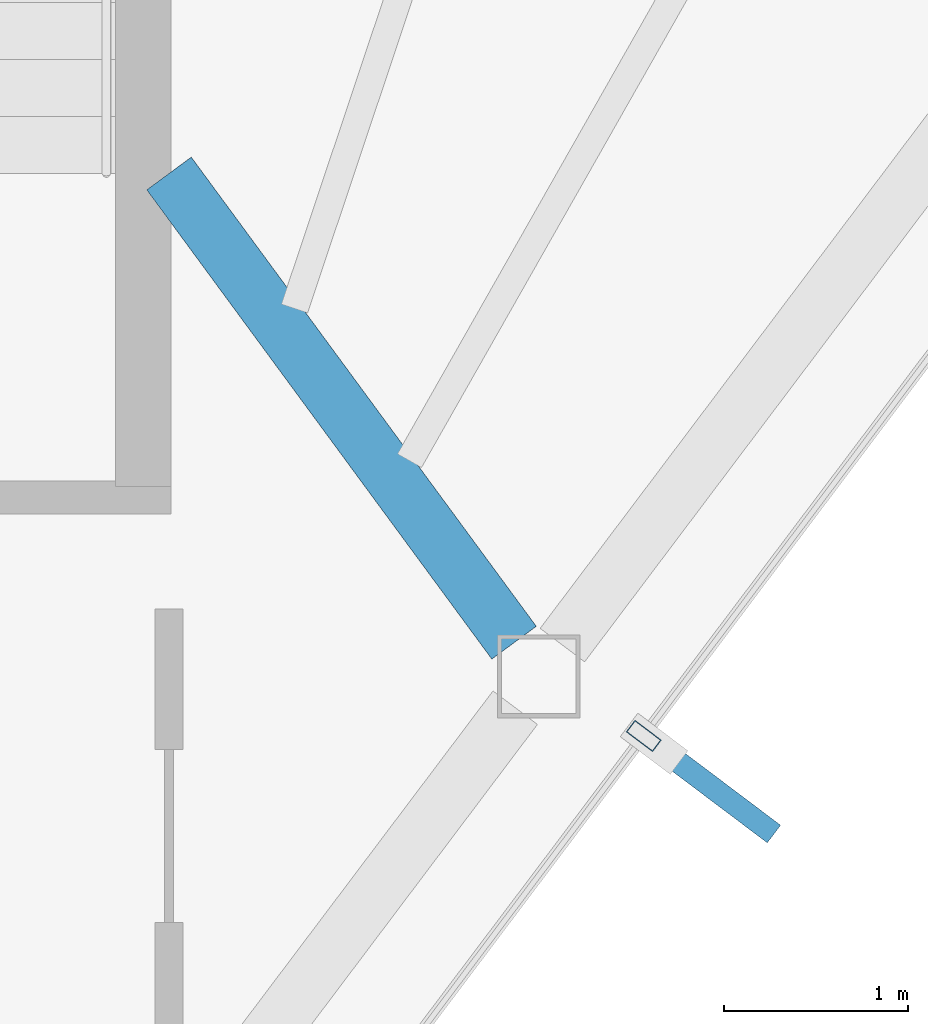
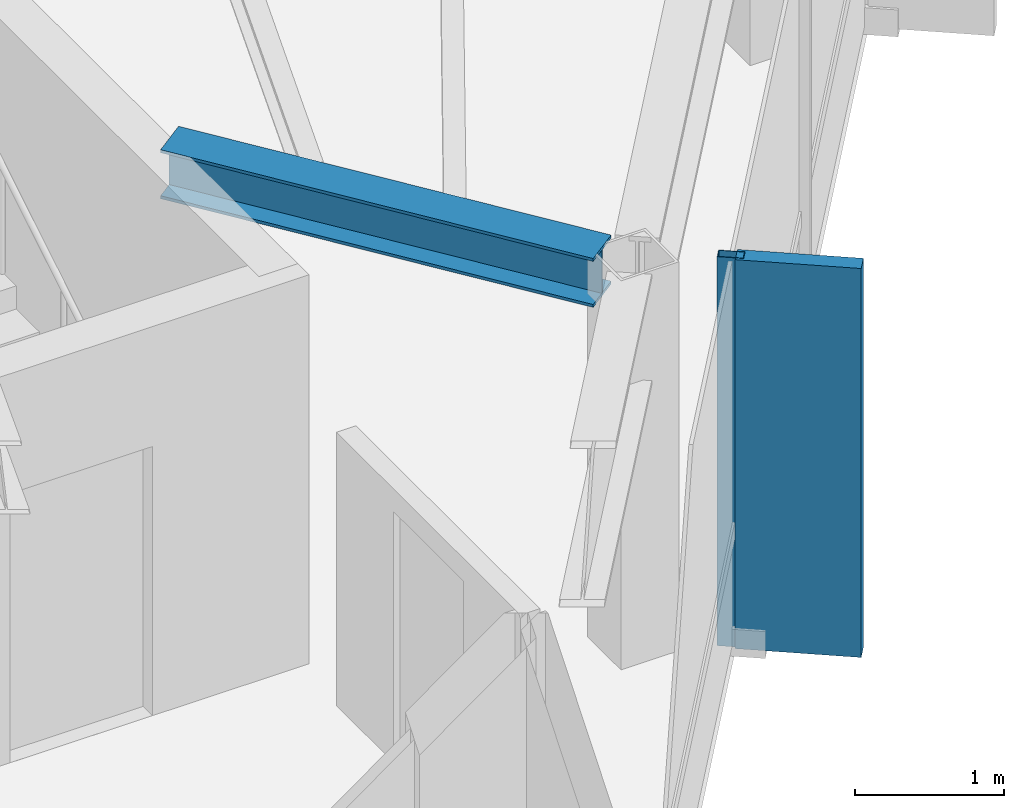
# One storey, part 15 of 22: 2 members, 1 beam, 1 element without a shape of its own.
"""IFC4 building model written with IfcOpenShell, lengths in metres."""

import ifcopenshell
import ifcopenshell.guid

model = None  # the IFC model being written
_history = None  # IfcOwnerHistory: only IFC2X3 demands one
_inside = {}  # id of a spatial element -> (the spatial element, [elements in it])
_under = {}  # id of a project, library or spatial element -> (it, [spatial elements below it])
_declared = {}  # id of a project -> (the project, [libraries it declares])
_typed = {}  # id of a type object -> (the type object, [elements of that type])
_made_of = {}  # id of a material, layer set ... -> (it, [elements and type objects made of it])


def new_model(schema):
    """Start an empty IFC model of exactly this schema.

    Asked for "IFC4X3", IfcOpenShell would pick the latest addendum, in which some entities
    have other attributes; the version numbers below select the first issue.
    IFC2X3 requires an IfcOwnerHistory on every rooted entity: one is made here for all.
    """
    global model, _history
    if schema == "IFC4X3":
        model = ifcopenshell.file(schema_version=(4, 3, 0, 0))
    else:
        model = ifcopenshell.file(schema=schema)
    _inside.clear()
    _under.clear()
    _declared.clear()
    _typed.clear()
    _made_of.clear()
    _history = None
    if model.schema == "IFC2X3":
        org = make("IfcOrganization", Name="unknown")
        user = make(
            "IfcPersonAndOrganization",
            ThePerson=make("IfcPerson", FamilyName="unknown"),
            TheOrganization=org,
        )
        app = make(
            "IfcApplication",
            ApplicationDeveloper=org,
            Version="unknown",
            ApplicationFullName="unknown",
            ApplicationIdentifier="unknown",
        )
        _history = make(
            "IfcOwnerHistory",
            OwningUser=user,
            OwningApplication=app,
            ChangeAction="ADDED",
            CreationDate=0,
        )
    return model


def make(cls, **values):
    """One entity of the class cls with the attributes given. An attribute that is None is left unset."""
    return model.create_entity(
        cls, **{name: value for name, value in values.items() if value is not None}
    )


def rooted(cls, **values):
    """An entity with a GlobalId (a new one), such as an element, a storey or a relation."""
    return make(cls, GlobalId=ifcopenshell.guid.new(), OwnerHistory=_history, **values)


def si_unit(unit_type, name, prefix=None):
    """IfcSIUnit, for example si_unit("LENGTHUNIT", "METRE", prefix="MILLI")."""
    return make("IfcSIUnit", UnitType=unit_type, Prefix=prefix, Name=name)


def assignment(units):
    """IfcUnitAssignment: the units of a project."""
    return None if units is None else make("IfcUnitAssignment", Units=units)


def point(xyz):
    """IfcCartesianPoint."""
    return None if xyz is None else make("IfcCartesianPoint", Coordinates=xyz)


def direction(xyz):
    """IfcDirection."""
    return None if xyz is None else make("IfcDirection", DirectionRatios=xyz)


def frame(location, z_axis=None, x_axis=None):
    """IfcAxis2Placement3D, a coordinate frame: its origin and axes. An axis left out is left unset."""
    return make(
        "IfcAxis2Placement3D",
        Location=point(location),
        Axis=direction(z_axis),
        RefDirection=direction(x_axis),
    )


def frame_2d(location, x_axis=None):
    """IfcAxis2Placement2D, a coordinate frame in the plane: its origin and x axis."""
    return make(
        "IfcAxis2Placement2D", Location=point(location), RefDirection=direction(x_axis)
    )


def origin():
    """The frame at (0, 0, 0) with its axes left unset."""
    return frame((0.0, 0.0, 0.0))


def origin_2d():
    """The frame at (0, 0) in the plane with its x axis left unset."""
    return frame_2d((0.0, 0.0))


def place(relative_to, where):
    """IfcLocalPlacement: puts the frame where relative to a parent placement (None: the world)."""
    return make(
        "IfcLocalPlacement", PlacementRelTo=relative_to, RelativePlacement=where
    )


def context(
    kind, dimensions, precision=None, world=None, true_north=None, identifier=None
):
    """IfcGeometricRepresentationContext, for example the 3D "Model" context."""
    return make(
        "IfcGeometricRepresentationContext",
        ContextIdentifier=identifier,
        ContextType=kind,
        CoordinateSpaceDimension=dimensions,
        Precision=precision,
        WorldCoordinateSystem=world,
        TrueNorth=true_north,
    )


def subcontext(parent, identifier, kind, view, scale=None):
    """IfcGeometricRepresentationSubContext, for example "Body" below "Model"."""
    return make(
        "IfcGeometricRepresentationSubContext",
        ContextIdentifier=identifier,
        ContextType=kind,
        ParentContext=parent,
        TargetScale=scale,
        TargetView=view,
    )


def project(units=None, contexts=None):
    """IfcProject with its units and contexts."""
    return rooted(
        "IfcProject",
        Name="project",
        RepresentationContexts=contexts,
        UnitsInContext=assignment(units),
    )


def spatial(cls, under=None, at=None, **own):
    """A site, building, storey or space (cls), placed at a placement, below another one or the project."""
    s = rooted(cls, ObjectPlacement=at, **own)
    if under is not None:
        _under.setdefault(under.id(), (under, []))[1].append(s)
    return s


def profile(cls, at=None, kind="AREA", **sizes):
    """A parametric profile (cls). Its sizes go by their IFC names, for example OverallWidth=200.0."""
    return make(cls, ProfileType=kind, Position=at, **sizes)


def rectangle(**sizes):
    """IfcRectangleProfileDef."""
    return profile("IfcRectangleProfileDef", **sizes)


def hollow_rectangle(**sizes):
    """IfcRectangleHollowProfileDef."""
    return profile("IfcRectangleHollowProfileDef", **sizes)


def i_section(**sizes):
    """IfcIShapeProfileDef."""
    return profile("IfcIShapeProfileDef", **sizes)


def extrude(swept, where, along, depth):
    """IfcExtrudedAreaSolid: the profile swept, set in the frame where, extruded along a direction by depth."""
    return make(
        "IfcExtrudedAreaSolid",
        SweptArea=swept,
        Position=where,
        ExtrudedDirection=direction(along),
        Depth=depth,
    )


def shape(context_of_items, identifier, shape_type, items):
    """IfcShapeRepresentation: the items that make up one representation, for example the "Body"."""
    return make(
        "IfcShapeRepresentation",
        ContextOfItems=context_of_items,
        RepresentationIdentifier=identifier,
        RepresentationType=shape_type,
        Items=items,
    )


def material(Name=None, Category=None):
    """IfcMaterial."""
    return make("IfcMaterial", Name=Name, Category=Category)


def layer(
    of_material, thickness, ventilated=None, Name=None, Category=None, Priority=None
):
    """IfcMaterialLayer: one layer of a wall or slab, of a material (None: an air gap)."""
    return make(
        "IfcMaterialLayer",
        Material=of_material,
        LayerThickness=thickness,
        IsVentilated=ventilated,
        Name=Name,
        Category=Category,
        Priority=Priority,
    )


def layer_set(layers, Name=None):
    """IfcMaterialLayerSet."""
    return make("IfcMaterialLayerSet", MaterialLayers=layers, LayerSetName=Name)


def material_profile(
    of_material, cross_section, Name=None, Category=None, Priority=None
):
    """IfcMaterialProfile: a cross section and its material."""
    return make(
        "IfcMaterialProfile",
        Name=Name,
        Material=of_material,
        Profile=cross_section,
        Priority=Priority,
        Category=Category,
    )


def profile_set(profiles, Name=None, composite=None):
    """IfcMaterialProfileSet."""
    return make(
        "IfcMaterialProfileSet",
        Name=Name,
        MaterialProfiles=profiles,
        CompositeProfile=composite,
    )


def made_of(thing, what):
    """Note that an element or type object is made of a material, layer set ...; save() writes the relation."""
    if what is not None:
        _made_of.setdefault(what.id(), (what, []))[1].append(thing)
    return thing


def type_object(cls, material=None, **own):
    """A type object (cls), such as IfcWallType, which elements share."""
    return made_of(rooted(cls, **own), material)


def element(
    cls,
    number,
    at=None,
    inside=None,
    cuts=None,
    type_object=None,
    material=None,
    context=None,
    identifier="Body",
    shape_type=None,
    held_by="IfcProductDefinitionShape",
    body=None,
    shapes=None,
    **own,
):
    """One element of the class cls, such as IfcWall. Its Tag is "e" and its number.

    at: its placement. inside: the storey or other place that contains it. cuts: it is an
    opening in that element (IfcRelVoidsElement). A single representation is given by context,
    identifier, shape_type and body (its items); several are given by shapes. held_by: the class
    of the entity that holds the representations. save() writes the other relations.
    """
    e = rooted(cls, Tag="e%d" % number, ObjectPlacement=at, **own)
    if body is not None:
        shapes = [shape(context, identifier, shape_type, body)]
    if shapes is not None:
        e.Representation = make(held_by, Representations=shapes)
    if inside is not None:
        _inside.setdefault(inside.id(), (inside, []))[1].append(e)
    if cuts is not None:
        rooted(
            "IfcRelVoidsElement", RelatingBuildingElement=cuts, RelatedOpeningElement=e
        )
    if type_object is not None:
        _typed.setdefault(type_object.id(), (type_object, []))[1].append(e)
    return made_of(e, material)


def aggregate(whole, parts):
    """IfcRelAggregates: a whole, such as a stair, and the parts it consists of."""
    return rooted("IfcRelAggregates", RelatingObject=whole, RelatedObjects=parts)


def save(model, path):
    """Write the relations noted so far, then the file.

    IfcRelAggregates (storeys below a building ...), IfcRelContainedInSpatialStructure (elements
    in a storey), IfcRelDefinesByType, IfcRelAssociatesMaterial and IfcRelDeclares: one each for
    every whole, place, type object, material and project.
    """
    for whole, parts in _under.values():
        aggregate(whole, parts)
    for where, things in _inside.values():
        rooted(
            "IfcRelContainedInSpatialStructure",
            RelatedElements=things,
            RelatingStructure=where,
        )
    for kind, things in _typed.values():
        rooted("IfcRelDefinesByType", RelatedObjects=things, RelatingType=kind)
    for what, things in _made_of.values():
        rooted("IfcRelAssociatesMaterial", RelatedObjects=things, RelatingMaterial=what)
    for by, libraries in _declared.values():
        rooted("IfcRelDeclares", RelatingContext=by, RelatedDefinitions=libraries)
    model.write(path)


model = new_model("IFC4")

# Units and contexts
model_context = context("Model", 3, precision=1e-05, world=origin(), true_north=direction((0.0, 1.0)))
body_context = subcontext(model_context, "Body", "Model", "MODEL_VIEW")
ifc_project = project(units=[si_unit("LENGTHUNIT", "METRE"), si_unit("AREAUNIT", "SQUARE_METRE"), si_unit("VOLUMEUNIT", "CUBIC_METRE"), si_unit("PLANEANGLEUNIT", "RADIAN"), si_unit("MASSUNIT", "GRAM", prefix="KILO")], contexts=[model_context])

# Site, building, storey
site_placement = place(None, origin())
site = spatial("IfcSite", under=ifc_project, at=site_placement, CompositionType="ELEMENT")
building_placement = place(site_placement, origin())
building = spatial("IfcBuilding", under=site, at=building_placement, Name="Zarrinselat Tower", CompositionType="ELEMENT")
storey_placement = place(building_placement, frame((0.0, 0.0, 289.0)))
storey = spatial("IfcBuildingStorey", under=building, at=storey_placement, Name="L74", CompositionType="ELEMENT", Elevation=289.0)

# Beam
ifc_material_1 = material(Name="Steel S355J2", Category="steel")
ifc_material_profile_1 = material_profile(ifc_material_1, i_section(OverallWidth=0.300048828125, OverallDepth=0.39990234375, WebThickness=0.013427734375, FlangeThickness=0.02392578125, at=origin_2d()), Name="HEB 400")
ifc_profile_set_1 = profile_set([ifc_material_profile_1], Name="Steel S355J2")
beam_type = type_object("IfcBeamType", Name="BM-HEB400", PredefinedType="BEAM", material=ifc_profile_set_1)
beam_placement = place(storey_placement, frame((48.35009765625, 35.0, 2.97998046875), z_axis=(0.59244054541, -0.805614175741, 0.0), x_axis=(0.805614175741, 0.59244054541, 0.0)))
element("IfcBeam", 1, at=beam_placement, inside=storey, type_object=beam_type, Name="L74 Radial Primary Girder RG13", PredefinedType="BEAM", context=body_context, shape_type="SweptSolid", body=[
    extrude(i_section(OverallWidth=0.300048828125, OverallDepth=0.39990234375, WebThickness=0.013427734375, FlangeThickness=0.02392578125, at=origin_2d()), origin(), (0.0, 0.0, 1.0), 3.163330078125),
])

# Curtain wall, members
ifc_material_2 = material(Name="Extruded Aluminium Alloy EN AW-6063 T6", Category="aluminium")
ifc_layer = layer(ifc_material_2, 0.199951171875)
ifc_layer_set = layer_set([ifc_layer], Name="Extruded Aluminium Alloy EN AW-6063 T6")
curtain_wall_type = type_object("IfcCurtainWallType", Name="CWS-BLADE", PredefinedType="NOTDEFINED", material=ifc_layer_set)
curtain_wall_placement = place(storey_placement, origin())
curtain_wall = element("IfcCurtainWall", 2, at=curtain_wall_placement, inside=storey, type_object=curtain_wall_type, Name="L74 Unitised Curtain Wall CW-L74-E05", PredefinedType="NOTDEFINED")
ifc_material_3 = material(Name="Extruded Aluminium Alloy EN AW-6063 T6", Category="aluminium")
ifc_material_profile_2 = material_profile(ifc_material_3, hollow_rectangle(XDim=0.080078125, YDim=0.179931640625, WallThickness=0.0048828125, at=origin_2d()), Name="RHS 180x80x5")
ifc_profile_set_2 = profile_set([ifc_material_profile_2], Name="Extruded Aluminium Alloy EN AW-6063 T6")
member_type_1 = type_object("IfcMemberType", Name="MEM-CW-MUL", PredefinedType="MULLION", material=ifc_profile_set_2)
member_1_placement = place(storey_placement, frame((50.9287109375, 31.945068359375, 0.0), z_axis=(0.0, 0.0, 1.0), x_axis=(0.601672649155, 0.798742776655, 0.0)))
member_1 = element("IfcMember", 3, at=member_1_placement, type_object=member_type_1, Name="CW-L74-E05 Mullion 5", PredefinedType="MULLION", context=body_context, shape_type="SweptSolid", body=[
    extrude(hollow_rectangle(XDim=0.080078125, YDim=0.179931640625, WallThickness=0.0048828125, at=origin_2d()), origin(), (0.0, 0.0, 1.0), 3.179931640625),
])
ifc_material_4 = material(Name="Honed Cream Travertine Stone", Category="masonry")
ifc_material_profile_3 = material_profile(ifc_material_4, rectangle(XDim=0.1201171875, YDim=0.85009765625, at=origin_2d()), Name="FIN 850x120")
ifc_profile_set_3 = profile_set([ifc_material_profile_3], Name="Honed Cream Travertine Stone")
member_type_2 = type_object("IfcMemberType", Name="MEM-STONE-FIN", PredefinedType="USERDEFINED", material=ifc_profile_set_3)
member_2_placement = place(storey_placement, frame((51.296142578125, 31.668212890625, 0.0), z_axis=(0.0, 0.0, 1.0), x_axis=(-0.601672649155, -0.798742776655, 0.0)))
member_2 = element("IfcMember", 4, at=member_2_placement, type_object=member_type_2, Name="L74 Stone Shading Fin CW-L74-E05-05", ObjectType="FIN", PredefinedType="USERDEFINED", context=body_context, shape_type="SweptSolid", body=[
    extrude(rectangle(XDim=0.1201171875, YDim=0.85009765625, at=origin_2d()), origin(), (0.0, 0.0, 1.0), 3.179931640625),
])
aggregate(curtain_wall, [member_1, member_2])

save(model, "model.ifc")
